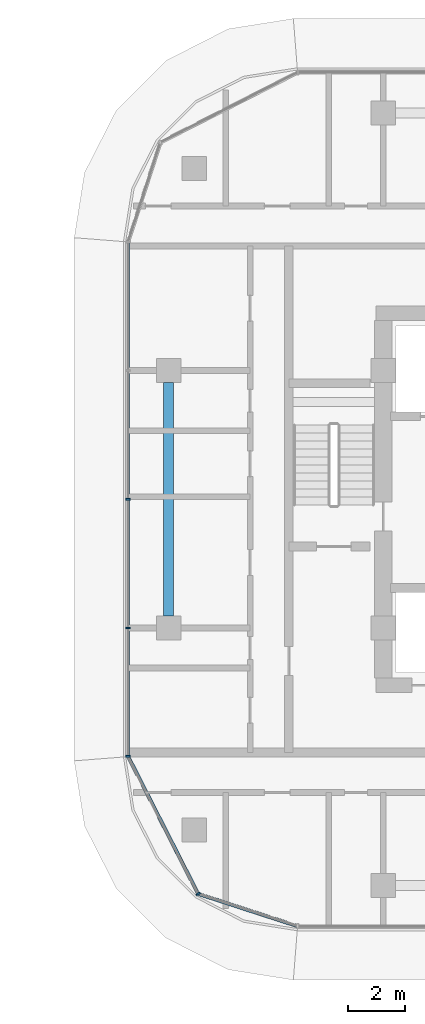
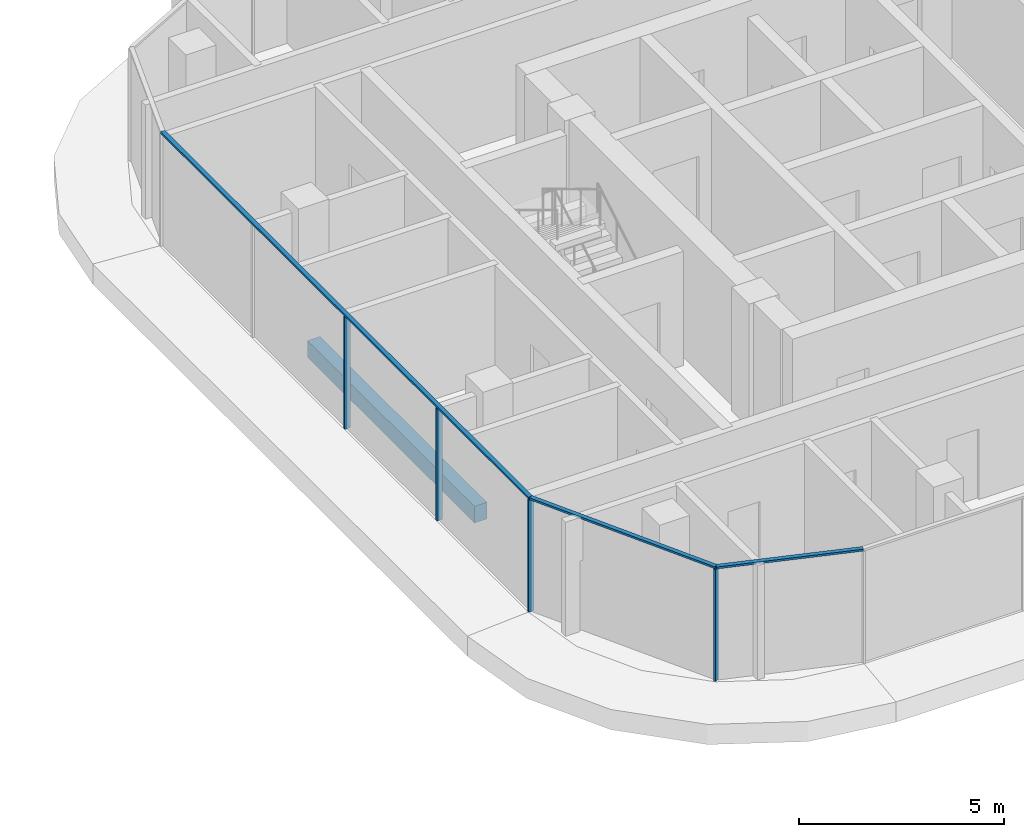
# One storey, part 8 of 36: 7 members, 1 beam, 2 elements without a shape of their own.
"""IFC4 building model written with IfcOpenShell, lengths in metres."""

from ifc_helpers import new_model, si_unit, direction, frame, origin, origin_2d, place, context, subcontext, project, spatial, rectangle, extrude, material, material_profile, profile_set, type_object, element, aggregate, save


model = new_model("IFC4")

# Units and contexts
model_context = context("Model", 3, precision=1e-05, world=origin(), true_north=direction((0.0, 1.0)))
body_context = subcontext(model_context, "Body", "Model", "MODEL_VIEW")
ifc_project = project(units=[si_unit("LENGTHUNIT", "METRE"), si_unit("AREAUNIT", "SQUARE_METRE"), si_unit("VOLUMEUNIT", "CUBIC_METRE"), si_unit("PLANEANGLEUNIT", "RADIAN"), si_unit("MASSUNIT", "GRAM", prefix="KILO")], contexts=[model_context])

# Site, building, storey
site_placement = place(None, origin())
site = spatial("IfcSite", under=ifc_project, at=site_placement, CompositionType="ELEMENT")
building_placement = place(site_placement, origin())
building = spatial("IfcBuilding", under=site, at=building_placement, Name="Ogive Portal Towers", CompositionType="ELEMENT")
storey_placement = place(building_placement, frame((0.0, 0.0, 70.5)))
storey = spatial("IfcBuildingStorey", under=building, at=storey_placement, Name="L16", CompositionType="ELEMENT", Elevation=70.5)

# Curtain wall, members
ifc_material_1 = material(Name="Glass, clear low-iron insulated glazing", Category="glass")
curtain_wall_type = type_object("IfcCurtainWallType", Name="CW RESIDENCES RIBBON", PredefinedType="NOTDEFINED", material=ifc_material_1)
curtain_wall_1_placement = place(storey_placement, origin())
curtain_wall_1 = element("IfcCurtainWall", 1, at=curtain_wall_1_placement, inside=storey, type_object=curtain_wall_type, Name="B:L16:f11:cw0", PredefinedType="NOTDEFINED")
ifc_material_2 = material(Name="Aluminium 6063 anodised", Category="aluminium")
ifc_material_profile_1 = material_profile(ifc_material_2, rectangle(XDim=0.159912109375, YDim=0.06005859375, at=origin_2d()), Name="AL 60x160")
ifc_profile_set_1 = profile_set([ifc_material_profile_1], Name="Aluminium 6063 anodised")
member_type_1 = type_object("IfcMemberType", Name="CW MULLION 60x160", PredefinedType="MULLION", material=ifc_profile_set_1)
member_1_placement = place(storey_placement, frame((120.080078125, 31.0, 0.0), z_axis=(0.0, 0.0, 1.0), x_axis=(1.0, 0.0, 0.0)))
member_1 = element("IfcMember", 2, at=member_1_placement, type_object=member_type_1, Name="mullion", PredefinedType="MULLION", context=body_context, shape_type="SweptSolid", body=[
    extrude(rectangle(XDim=0.159912109375, YDim=0.06005859375, at=origin_2d()), origin(), (0.0, 0.0, 1.0), 3.340087890625),
])
member_2_placement = place(storey_placement, frame((120.080078125, 26.5, 0.0), z_axis=(0.0, 0.0, 1.0), x_axis=(1.0, 0.0, 0.0)))
member_2 = element("IfcMember", 3, at=member_2_placement, type_object=member_type_1, Name="mullion", PredefinedType="MULLION", context=body_context, shape_type="SweptSolid", body=[
    extrude(rectangle(XDim=0.159912109375, YDim=0.06005859375, at=origin_2d()), origin(), (0.0, 0.0, 1.0), 3.340087890625),
])
member_3_placement = place(storey_placement, frame((120.080078125, 22.019287109375, 0.0), z_axis=(0.0, 0.0, 1.0), x_axis=(1.0, 0.0, 0.0)))
member_3 = element("IfcMember", 4, at=member_3_placement, type_object=member_type_1, Name="mullion", PredefinedType="MULLION", context=body_context, shape_type="SweptSolid", body=[
    extrude(rectangle(XDim=0.159912109375, YDim=0.06005859375, at=origin_2d()), origin(), (0.0, 0.0, 1.0), 3.340087890625),
])

# Curtain wall, member
curtain_wall_2_placement = place(storey_placement, origin())
curtain_wall_2 = element("IfcCurtainWall", 5, at=curtain_wall_2_placement, inside=storey, type_object=curtain_wall_type, Name="B:L16:f00:cwa", PredefinedType="NOTDEFINED")
member_4_placement = place(storey_placement, frame((122.529541015625, 17.211669921875, 0.0), z_axis=(0.0, 0.0, 1.0), x_axis=(0.891006524188, 0.45399049974, 0.0)))
member_4 = element("IfcMember", 6, at=member_4_placement, type_object=member_type_1, Name="mullion", PredefinedType="MULLION", context=body_context, shape_type="SweptSolid", body=[
    extrude(rectangle(XDim=0.159912109375, YDim=0.06005859375, at=origin_2d()), origin(), (0.0, 0.0, 1.0), 3.340087890625),
])

# Member
ifc_material_profile_2 = material_profile(ifc_material_2, rectangle(XDim=0.1201171875, YDim=0.06005859375, at=origin_2d()), Name="AL 120x60")
ifc_profile_set_2 = profile_set([ifc_material_profile_2], Name="Aluminium 6063 anodised")
member_type_2 = type_object("IfcMemberType", Name="CW TRANSOM 60x120", PredefinedType="USERDEFINED", material=ifc_profile_set_2)
member_5_placement = place(storey_placement, frame((120.080078125, 39.9873046875, 3.3701171875), z_axis=(0.0, -1.0, 0.0), x_axis=(1.0, 0.0, 0.0)))
member_5 = element("IfcMember", 7, at=member_5_placement, type_object=member_type_2, Name="transom", ObjectType="TRANSOM", PredefinedType="USERDEFINED", context=body_context, shape_type="SweptSolid", body=[
    extrude(rectangle(XDim=0.1201171875, YDim=0.06005859375, at=origin_2d()), origin(), (0.0, 0.0, 1.0), 17.968017578125),
])

aggregate(curtain_wall_1, [member_5, member_1, member_2, member_3])

member_6_placement = place(storey_placement, frame((120.080078125, 22.019287109375, 3.3701171875), z_axis=(0.453969839149, -0.891017050983, 0.0), x_axis=(0.891017050983, 0.453969839149, 0.0)))
member_6 = element("IfcMember", 8, at=member_6_placement, type_object=member_type_2, Name="transom", ObjectType="TRANSOM", PredefinedType="USERDEFINED", context=body_context, shape_type="SweptSolid", body=[
    extrude(rectangle(XDim=0.1201171875, YDim=0.06005859375, at=origin_2d()), origin(), (0.0, 0.0, 1.0), 5.395751953125),
])

member_7_placement = place(storey_placement, frame((122.529541015625, 17.211669921875, 3.3701171875), z_axis=(0.951068844598, -0.308979049184, 0.0), x_axis=(0.308979049184, 0.951068844598, 0.0)))
member_7 = element("IfcMember", 9, at=member_7_placement, type_object=member_type_2, Name="transom", ObjectType="TRANSOM", PredefinedType="USERDEFINED", context=body_context, shape_type="SweptSolid", body=[
    extrude(rectangle(XDim=0.1201171875, YDim=0.06005859375, at=origin_2d()), origin(), (0.0, 0.0, 1.0), 3.662353515625),
])

aggregate(curtain_wall_2, [member_6, member_7, member_4])

# Beam
ifc_material_3 = material(Name="Concrete C50/60", Category="concrete")
ifc_material_profile_3 = material_profile(ifc_material_3, rectangle(XDim=0.35009765625, YDim=0.5, at=origin_2d()), Name="RC 350x500")
ifc_profile_set_3 = profile_set([ifc_material_profile_3], Name="Concrete C50/60")
beam_type = type_object("IfcBeamType", Name="SPANDREL BEAM RC 350x500", PredefinedType="BEAM", material=ifc_profile_set_3)
beam_placement = place(storey_placement, frame((121.5, 35.074951171875, -0.550048828125), z_axis=(0.0, -1.0, 0.0), x_axis=(1.0, 0.0, 0.0)))
element("IfcBeam", 10, at=beam_placement, inside=storey, type_object=beam_type, Name="Spandrel beam L16", PredefinedType="BEAM", context=body_context, shape_type="SweptSolid", body=[
    extrude(rectangle(XDim=0.35009765625, YDim=0.5, at=origin_2d()), origin(), (0.0, 0.0, 1.0), 8.14990234375),
])

save(model, "model.ifc")
